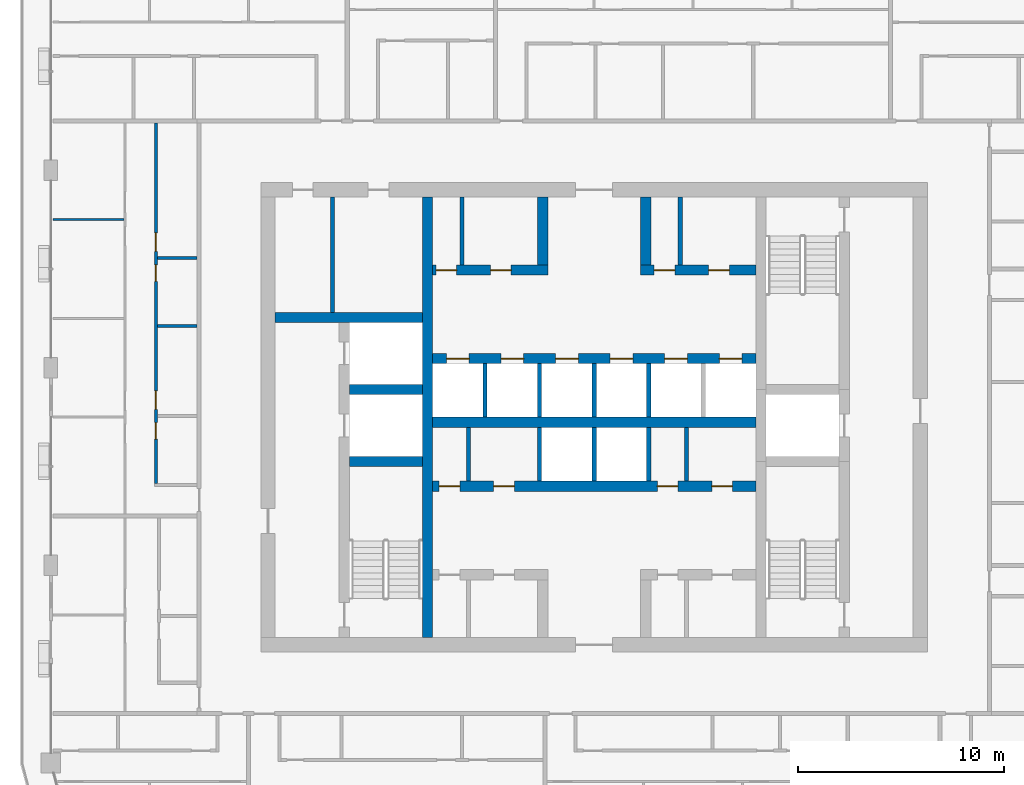
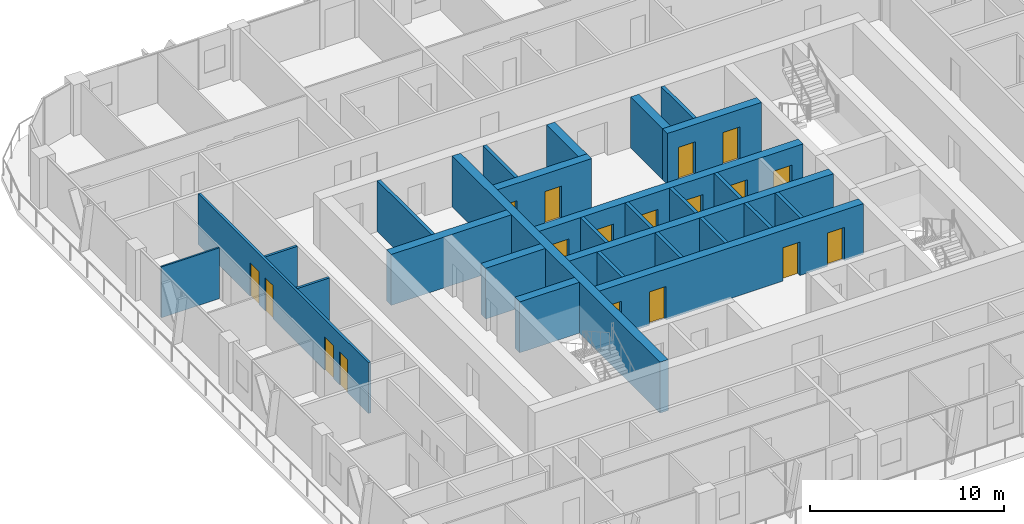
# One storey, part 11 of 23: 27 walls, 18 doors, 18 openings.
"""IFC4 building model written with IfcOpenShell, lengths in metres."""

from ifc_helpers import new_model, si_unit, direction, frame, frame_2d, origin, place, context, subcontext, project, spatial, rectangle, extrude, material, layer, layer_set, type_object, element, fill, save


model = new_model("IFC4")

# Units and contexts
model_context = context("Model", 3, precision=1e-05, world=origin(), true_north=direction((0.0, 1.0)))
body_context = subcontext(model_context, "Body", "Model", "MODEL_VIEW")
ifc_project = project(units=[si_unit("LENGTHUNIT", "METRE"), si_unit("AREAUNIT", "SQUARE_METRE"), si_unit("VOLUMEUNIT", "CUBIC_METRE"), si_unit("PLANEANGLEUNIT", "RADIAN"), si_unit("MASSUNIT", "GRAM", prefix="KILO")], contexts=[model_context])

# Site, building, storey
site_placement = place(None, origin())
site = spatial("IfcSite", under=ifc_project, at=site_placement, CompositionType="ELEMENT")
building_placement = place(site_placement, origin())
building = spatial("IfcBuilding", under=site, at=building_placement, Name="Madar Terraces", CompositionType="ELEMENT")
storey_placement = place(building_placement, frame((0.0, 0.0, 222.800048828125)))
storey = spatial("IfcBuildingStorey", under=building, at=storey_placement, Name="L58", CompositionType="ELEMENT", Elevation=222.800048828125)

# Walls
ifc_material_1 = material(Name="Concrete C60/75", Category="concrete")
ifc_layer_1 = layer(ifc_material_1, 0.5)
ifc_layer_set_1 = layer_set([ifc_layer_1], Name="Concrete C60/75 (CIW4 RC wall 500)")
wall_type_1 = type_object("IfcWallType", Name="CIW4 RC wall 500", PredefinedType="SHEAR", material=ifc_layer_set_1)
wall_1_placement = place(storey_placement, frame((23.10009765625, 15.699951171875, 0.0), z_axis=(0.0, 0.0, 1.0), x_axis=(0.0, 1.0, 0.0)))
element("IfcWall", 1, at=wall_1_placement, inside=storey, type_object=wall_type_1, Name="CORE SHAFT WALL", PredefinedType="SHEAR", context=body_context, shape_type="SweptSolid", body=[
    extrude(rectangle(XDim=21.400146484375, YDim=0.5, at=frame_2d((10.7001953125, 0.0))), origin(), (0.0, 0.0, 1.0), 3.199951171875),
])
for number, where, z_axis, x_axis, name in (
    (2, (19.300048828125, 24.25, 0.0), (0.0, 0.0, 1.0), (1.0, 0.0, 0.0), "CORE SHAFT WALL"),
    (3, (19.300048828125, 27.75, 0.0), (0.0, 0.0, 1.0), (1.0, 0.0, 0.0), "CORE SHAFT WALL"),
):
    element("IfcWall", number, at=place(storey_placement, frame(where, z_axis=z_axis, x_axis=x_axis)), inside=storey, type_object=wall_type_1, Name=name, PredefinedType="SHEAR", context=body_context, shape_type="SweptSolid", body=[
        extrude(rectangle(XDim=3.550048828125, YDim=0.5, at=frame_2d((1.77490234375, 0.0))), origin(), (0.0, 0.0, 1.0), 3.199951171875),
    ])
wall_2_placement = place(storey_placement, frame((15.699951171875, 31.25, 0.0), z_axis=(0.0, 0.0, 1.0), x_axis=(1.0, 0.0, 0.0)))
element("IfcWall", 4, at=wall_2_placement, inside=storey, type_object=wall_type_1, Name="CORE SHAFT WALL", PredefinedType="SHEAR", context=body_context, shape_type="SweptSolid", body=[
    extrude(rectangle(XDim=7.150146484375, YDim=0.5, at=frame_2d((3.5751953125, 0.0))), origin(), (0.0, 0.0, 1.0), 3.199951171875),
])

# Wall, openings, doors
wall_3_placement = place(storey_placement, frame((23.35009765625, 23.050048828125, 0.0), z_axis=(0.0, 0.0, 1.0), x_axis=(1.0, 0.0, 0.0)))
wall_3 = element("IfcWall", 5, at=wall_3_placement, inside=storey, type_object=wall_type_1, Name="CORE SHAFT WALL", PredefinedType="SHEAR", context=body_context, shape_type="SweptSolid", body=[
    extrude(rectangle(XDim=15.699951171875, YDim=0.5, at=frame_2d((7.85009765625, 0.0))), origin(), (0.0, 0.0, 1.0), 3.199951171875),
])
opening_1_placement = place(wall_3_placement, frame((0.31689453125, 0.0, 0.0)))
opening_1 = element("IfcOpeningElement", 6, at=opening_1_placement, cuts=wall_3, Name="Opening KD2", PredefinedType="OPENING", context=body_context, shape_type="SweptSolid", body=[
    extrude(rectangle(XDim=1.0, YDim=2.10009765625, at=frame_2d((0.5, 1.050048828125))), frame((0.0, 0.260009765625, 0.0), z_axis=(0.0, -1.0, 0.0), x_axis=(1.0, 0.0, 0.0)), (0.0, 0.0, 1.0), 0.52001953125),
])
opening_2_placement = place(wall_3_placement, frame((2.967041015625, 0.0, 0.0)))
opening_2 = element("IfcOpeningElement", 7, at=opening_2_placement, cuts=wall_3, Name="Opening KD2", PredefinedType="OPENING", context=body_context, shape_type="SweptSolid", body=[
    extrude(rectangle(XDim=1.0, YDim=2.10009765625, at=frame_2d((0.5, 1.050048828125))), frame((0.0, 0.260009765625, 0.0), z_axis=(0.0, -1.0, 0.0), x_axis=(1.0, 0.0, 0.0)), (0.0, 0.0, 1.0), 0.52001953125),
])
opening_3_placement = place(wall_3_placement, frame((10.9169921875, 0.0, 0.0)))
opening_3 = element("IfcOpeningElement", 8, at=opening_3_placement, cuts=wall_3, Name="Opening KD2", PredefinedType="OPENING", context=body_context, shape_type="SweptSolid", body=[
    extrude(rectangle(XDim=1.0, YDim=2.10009765625, at=frame_2d((0.5, 1.050048828125))), frame((0.0, 0.260009765625, 0.0), z_axis=(0.0, -1.0, 0.0), x_axis=(1.0, 0.0, 0.0)), (0.0, 0.0, 1.0), 0.52001953125),
])
opening_4_placement = place(wall_3_placement, frame((13.56689453125, 0.0, 0.0)))
opening_4 = element("IfcOpeningElement", 9, at=opening_4_placement, cuts=wall_3, Name="Opening KD2", PredefinedType="OPENING", context=body_context, shape_type="SweptSolid", body=[
    extrude(rectangle(XDim=1.0, YDim=2.10009765625, at=frame_2d((0.5, 1.050048828125))), frame((0.0, 0.260009765625, 0.0), z_axis=(0.0, -1.0, 0.0), x_axis=(1.0, 0.0, 0.0)), (0.0, 0.0, 1.0), 0.52001953125),
])
ifc_material_2 = material(Name="Steel door leaf", Category="steel")
door_type_1 = type_object("IfcDoorType", Name="Service room door 1000 x 2100", OperationType="NOTDEFINED", PredefinedType="DOOR", material=ifc_material_2)
door_1_placement = place(opening_1_placement, frame((1.0, 0.0, 0.0), z_axis=(0.0, 0.0, 1.0), x_axis=(-1.0, 0.0, 0.0)))
door_1 = element("IfcDoor", 10, at=door_1_placement, inside=storey, type_object=door_type_1, Name="SERVICE ROOM DOOR", OperationType="SINGLE_SWING_LEFT", OverallHeight=2.10009765625, OverallWidth=1.0, PredefinedType="DOOR", context=body_context, shape_type="SweptSolid", body=[
    extrude(rectangle(XDim=1.0, YDim=2.10009765625, at=frame_2d((0.5, 1.050048828125))), frame((0.0, 0.02490234375, 0.0), z_axis=(0.0, -1.0, 0.0), x_axis=(1.0, 0.0, 0.0)), (0.0, 0.0, 1.0), 0.050048828125),
])
fill(opening_1, door_1)
door_2_placement = place(opening_2_placement, frame((1.0, 0.0, 0.0), z_axis=(0.0, 0.0, 1.0), x_axis=(-1.0, 0.0, 0.0)))
door_2 = element("IfcDoor", 11, at=door_2_placement, inside=storey, type_object=door_type_1, Name="SERVICE ROOM DOOR", OperationType="SINGLE_SWING_RIGHT", OverallHeight=2.10009765625, OverallWidth=1.0, PredefinedType="DOOR", context=body_context, shape_type="SweptSolid", body=[
    extrude(rectangle(XDim=1.0, YDim=2.10009765625, at=frame_2d((0.5, 1.050048828125))), frame((0.0, 0.02490234375, 0.0), z_axis=(0.0, -1.0, 0.0), x_axis=(1.0, 0.0, 0.0)), (0.0, 0.0, 1.0), 0.050048828125),
])
fill(opening_2, door_2)
door_3_placement = place(opening_3_placement, frame((1.0, 0.0, 0.0), z_axis=(0.0, 0.0, 1.0), x_axis=(-1.0, 0.0, 0.0)))
door_3 = element("IfcDoor", 12, at=door_3_placement, inside=storey, type_object=door_type_1, Name="SERVICE ROOM DOOR", OperationType="SINGLE_SWING_LEFT", OverallHeight=2.10009765625, OverallWidth=1.0, PredefinedType="DOOR", context=body_context, shape_type="SweptSolid", body=[
    extrude(rectangle(XDim=1.0, YDim=2.10009765625, at=frame_2d((0.5, 1.050048828125))), frame((0.0, 0.02490234375, 0.0), z_axis=(0.0, -1.0, 0.0), x_axis=(1.0, 0.0, 0.0)), (0.0, 0.0, 1.0), 0.050048828125),
])
fill(opening_3, door_3)
door_4_placement = place(opening_4_placement, frame((1.0, 0.0, 0.0), z_axis=(0.0, 0.0, 1.0), x_axis=(-1.0, 0.0, 0.0)))
door_4 = element("IfcDoor", 13, at=door_4_placement, inside=storey, type_object=door_type_1, Name="SERVICE ROOM DOOR", OperationType="SINGLE_SWING_RIGHT", OverallHeight=2.10009765625, OverallWidth=1.0, PredefinedType="DOOR", context=body_context, shape_type="SweptSolid", body=[
    extrude(rectangle(XDim=1.0, YDim=2.10009765625, at=frame_2d((0.5, 1.050048828125))), frame((0.0, 0.02490234375, 0.0), z_axis=(0.0, -1.0, 0.0), x_axis=(1.0, 0.0, 0.0)), (0.0, 0.0, 1.0), 0.050048828125),
])
fill(opening_4, door_4)

# Wall
wall_4_placement = place(storey_placement, frame((23.35009765625, 26.14990234375, 0.0), z_axis=(0.0, 0.0, 1.0), x_axis=(1.0, 0.0, 0.0)))
element("IfcWall", 14, at=wall_4_placement, inside=storey, type_object=wall_type_1, Name="CORE SHAFT WALL", PredefinedType="SHEAR", context=body_context, shape_type="SweptSolid", body=[
    extrude(rectangle(XDim=15.699951171875, YDim=0.5, at=frame_2d((7.85009765625, 0.0))), origin(), (0.0, 0.0, 1.0), 3.199951171875),
])

# Wall, openings, doors
wall_5_placement = place(storey_placement, frame((23.35009765625, 29.25, 0.0), z_axis=(0.0, 0.0, 1.0), x_axis=(1.0, 0.0, 0.0)))
wall_5 = element("IfcWall", 15, at=wall_5_placement, inside=storey, type_object=wall_type_1, Name="CORE SHAFT WALL", PredefinedType="SHEAR", context=body_context, shape_type="SweptSolid", body=[
    extrude(rectangle(XDim=15.699951171875, YDim=0.5, at=frame_2d((7.85009765625, 0.0))), origin(), (0.0, 0.0, 1.0), 3.199951171875),
])
opening_5_placement = place(wall_5_placement, frame((0.675048828125, 0.0, 0.0)))
opening_5 = element("IfcOpeningElement", 16, at=opening_5_placement, cuts=wall_5, Name="Opening LD", PredefinedType="OPENING", context=body_context, shape_type="SweptSolid", body=[
    extrude(rectangle(XDim=1.10009765625, YDim=2.10009765625, at=frame_2d((0.550048828125, 1.050048828125))), frame((0.0, 0.260009765625, 0.0), z_axis=(0.0, -1.0, 0.0), x_axis=(1.0, 0.0, 0.0)), (0.0, 0.0, 1.0), 0.52001953125),
])
opening_6_placement = place(wall_5_placement, frame((3.324951171875, 0.0, 0.0)))
opening_6 = element("IfcOpeningElement", 17, at=opening_6_placement, cuts=wall_5, Name="Opening LD", PredefinedType="OPENING", context=body_context, shape_type="SweptSolid", body=[
    extrude(rectangle(XDim=1.10009765625, YDim=2.10009765625, at=frame_2d((0.550048828125, 1.050048828125))), frame((0.0, 0.260009765625, 0.0), z_axis=(0.0, -1.0, 0.0), x_axis=(1.0, 0.0, 0.0)), (0.0, 0.0, 1.0), 0.52001953125),
])
opening_7_placement = place(wall_5_placement, frame((5.97509765625, 0.0, 0.0)))
opening_7 = element("IfcOpeningElement", 18, at=opening_7_placement, cuts=wall_5, Name="Opening LD", PredefinedType="OPENING", context=body_context, shape_type="SweptSolid", body=[
    extrude(rectangle(XDim=1.10009765625, YDim=2.10009765625, at=frame_2d((0.550048828125, 1.050048828125))), frame((0.0, 0.260009765625, 0.0), z_axis=(0.0, -1.0, 0.0), x_axis=(1.0, 0.0, 0.0)), (0.0, 0.0, 1.0), 0.52001953125),
])
opening_8_placement = place(wall_5_placement, frame((8.625, 0.0, 0.0)))
opening_8 = element("IfcOpeningElement", 19, at=opening_8_placement, cuts=wall_5, Name="Opening LD", PredefinedType="OPENING", context=body_context, shape_type="SweptSolid", body=[
    extrude(rectangle(XDim=1.10009765625, YDim=2.10009765625, at=frame_2d((0.550048828125, 1.050048828125))), frame((0.0, 0.260009765625, 0.0), z_axis=(0.0, -1.0, 0.0), x_axis=(1.0, 0.0, 0.0)), (0.0, 0.0, 1.0), 0.52001953125),
])
opening_9_placement = place(wall_5_placement, frame((11.27490234375, 0.0, 0.0)))
opening_9 = element("IfcOpeningElement", 20, at=opening_9_placement, cuts=wall_5, Name="Opening LD", PredefinedType="OPENING", context=body_context, shape_type="SweptSolid", body=[
    extrude(rectangle(XDim=1.10009765625, YDim=2.10009765625, at=frame_2d((0.550048828125, 1.050048828125))), frame((0.0, 0.260009765625, 0.0), z_axis=(0.0, -1.0, 0.0), x_axis=(1.0, 0.0, 0.0)), (0.0, 0.0, 1.0), 0.52001953125),
])
opening_10_placement = place(wall_5_placement, frame((13.925048828125, 0.0, 0.0)))
opening_10 = element("IfcOpeningElement", 21, at=opening_10_placement, cuts=wall_5, Name="Opening LD", PredefinedType="OPENING", context=body_context, shape_type="SweptSolid", body=[
    extrude(rectangle(XDim=1.10009765625, YDim=2.10009765625, at=frame_2d((0.550048828125, 1.050048828125))), frame((0.0, 0.260009765625, 0.0), z_axis=(0.0, -1.0, 0.0), x_axis=(1.0, 0.0, 0.0)), (0.0, 0.0, 1.0), 0.52001953125),
])
ifc_material_3 = material(Name="Stainless steel panel", Category="steel")
door_type_2 = type_object("IfcDoorType", Name="Lift landing door 1100 x 2100", OperationType="DOUBLE_DOOR_SLIDING", PredefinedType="DOOR", material=ifc_material_3)
door_5_placement = place(opening_5_placement, origin())
door_5 = element("IfcDoor", 22, at=door_5_placement, inside=storey, type_object=door_type_2, Name="LIFT LANDING DOOR", OperationType="DOUBLE_DOOR_SLIDING", OverallHeight=2.10009765625, OverallWidth=1.10009765625, PredefinedType="DOOR", context=body_context, shape_type="SweptSolid", body=[
    extrude(rectangle(XDim=1.10009765625, YDim=2.10009765625, at=frame_2d((0.550048828125, 1.050048828125))), frame((0.0, 0.02490234375, 0.0), z_axis=(0.0, -1.0, 0.0), x_axis=(1.0, 0.0, 0.0)), (0.0, 0.0, 1.0), 0.050048828125),
])
fill(opening_5, door_5)
door_6_placement = place(opening_6_placement, origin())
door_6 = element("IfcDoor", 23, at=door_6_placement, inside=storey, type_object=door_type_2, Name="LIFT LANDING DOOR", OperationType="DOUBLE_DOOR_SLIDING", OverallHeight=2.10009765625, OverallWidth=1.10009765625, PredefinedType="DOOR", context=body_context, shape_type="SweptSolid", body=[
    extrude(rectangle(XDim=1.10009765625, YDim=2.10009765625, at=frame_2d((0.550048828125, 1.050048828125))), frame((0.0, 0.02490234375, 0.0), z_axis=(0.0, -1.0, 0.0), x_axis=(1.0, 0.0, 0.0)), (0.0, 0.0, 1.0), 0.050048828125),
])
fill(opening_6, door_6)
door_7_placement = place(opening_7_placement, origin())
door_7 = element("IfcDoor", 24, at=door_7_placement, inside=storey, type_object=door_type_2, Name="LIFT LANDING DOOR", OperationType="DOUBLE_DOOR_SLIDING", OverallHeight=2.10009765625, OverallWidth=1.10009765625, PredefinedType="DOOR", context=body_context, shape_type="SweptSolid", body=[
    extrude(rectangle(XDim=1.10009765625, YDim=2.10009765625, at=frame_2d((0.550048828125, 1.050048828125))), frame((0.0, 0.02490234375, 0.0), z_axis=(0.0, -1.0, 0.0), x_axis=(1.0, 0.0, 0.0)), (0.0, 0.0, 1.0), 0.050048828125),
])
fill(opening_7, door_7)
door_8_placement = place(opening_8_placement, origin())
door_8 = element("IfcDoor", 25, at=door_8_placement, inside=storey, type_object=door_type_2, Name="LIFT LANDING DOOR", OperationType="DOUBLE_DOOR_SLIDING", OverallHeight=2.10009765625, OverallWidth=1.10009765625, PredefinedType="DOOR", context=body_context, shape_type="SweptSolid", body=[
    extrude(rectangle(XDim=1.10009765625, YDim=2.10009765625, at=frame_2d((0.550048828125, 1.050048828125))), frame((0.0, 0.02490234375, 0.0), z_axis=(0.0, -1.0, 0.0), x_axis=(1.0, 0.0, 0.0)), (0.0, 0.0, 1.0), 0.050048828125),
])
fill(opening_8, door_8)
door_9_placement = place(opening_9_placement, origin())
door_9 = element("IfcDoor", 26, at=door_9_placement, inside=storey, type_object=door_type_2, Name="LIFT LANDING DOOR", OperationType="DOUBLE_DOOR_SLIDING", OverallHeight=2.10009765625, OverallWidth=1.10009765625, PredefinedType="DOOR", context=body_context, shape_type="SweptSolid", body=[
    extrude(rectangle(XDim=1.10009765625, YDim=2.10009765625, at=frame_2d((0.550048828125, 1.050048828125))), frame((0.0, 0.02490234375, 0.0), z_axis=(0.0, -1.0, 0.0), x_axis=(1.0, 0.0, 0.0)), (0.0, 0.0, 1.0), 0.050048828125),
])
fill(opening_9, door_9)
door_10_placement = place(opening_10_placement, origin())
door_10 = element("IfcDoor", 27, at=door_10_placement, inside=storey, type_object=door_type_2, Name="LIFT LANDING DOOR", OperationType="DOUBLE_DOOR_SLIDING", OverallHeight=2.10009765625, OverallWidth=1.10009765625, PredefinedType="DOOR", context=body_context, shape_type="SweptSolid", body=[
    extrude(rectangle(XDim=1.10009765625, YDim=2.10009765625, at=frame_2d((0.550048828125, 1.050048828125))), frame((0.0, 0.02490234375, 0.0), z_axis=(0.0, -1.0, 0.0), x_axis=(1.0, 0.0, 0.0)), (0.0, 0.0, 1.0), 0.050048828125),
])
fill(opening_10, door_10)

wall_6_placement = place(storey_placement, frame((23.35009765625, 33.550048828125, 0.0), z_axis=(0.0, 0.0, 1.0), x_axis=(1.0, 0.0, 0.0)))
wall_6 = element("IfcWall", 28, at=wall_6_placement, inside=storey, type_object=wall_type_1, Name="CORE SHAFT WALL", PredefinedType="SHEAR", context=body_context, shape_type="SweptSolid", body=[
    extrude(rectangle(XDim=5.599853515625, YDim=0.5, at=frame_2d((2.7998046875, 0.0))), origin(), (0.0, 0.0, 1.0), 3.199951171875),
])
opening_11_placement = place(wall_6_placement, frame((0.1640625, 0.0, 0.0)))
opening_11 = element("IfcOpeningElement", 29, at=opening_11_placement, cuts=wall_6, Name="Opening KD2", PredefinedType="OPENING", context=body_context, shape_type="SweptSolid", body=[
    extrude(rectangle(XDim=1.0, YDim=2.10009765625, at=frame_2d((0.5, 1.050048828125))), frame((0.0, 0.260009765625, 0.0), z_axis=(0.0, -1.0, 0.0), x_axis=(1.0, 0.0, 0.0)), (0.0, 0.0, 1.0), 0.52001953125),
])
opening_12_placement = place(wall_6_placement, frame((2.81396484375, 0.0, 0.0)))
opening_12 = element("IfcOpeningElement", 30, at=opening_12_placement, cuts=wall_6, Name="Opening KD2", PredefinedType="OPENING", context=body_context, shape_type="SweptSolid", body=[
    extrude(rectangle(XDim=1.0, YDim=2.10009765625, at=frame_2d((0.5, 1.050048828125))), frame((0.0, 0.260009765625, 0.0), z_axis=(0.0, -1.0, 0.0), x_axis=(1.0, 0.0, 0.0)), (0.0, 0.0, 1.0), 0.52001953125),
])
door_11_placement = place(opening_11_placement, frame((1.0, 0.0, 0.0), z_axis=(0.0, 0.0, 1.0), x_axis=(-1.0, 0.0, 0.0)))
door_11 = element("IfcDoor", 31, at=door_11_placement, inside=storey, type_object=door_type_1, Name="SERVICE ROOM DOOR", OperationType="SINGLE_SWING_LEFT", OverallHeight=2.10009765625, OverallWidth=1.0, PredefinedType="DOOR", context=body_context, shape_type="SweptSolid", body=[
    extrude(rectangle(XDim=1.0, YDim=2.10009765625, at=frame_2d((0.5, 1.050048828125))), frame((0.0, 0.02490234375, 0.0), z_axis=(0.0, -1.0, 0.0), x_axis=(1.0, 0.0, 0.0)), (0.0, 0.0, 1.0), 0.050048828125),
])
fill(opening_11, door_11)
door_12_placement = place(opening_12_placement, frame((1.0, 0.0, 0.0), z_axis=(0.0, 0.0, 1.0), x_axis=(-1.0, 0.0, 0.0)))
door_12 = element("IfcDoor", 32, at=door_12_placement, inside=storey, type_object=door_type_1, Name="SERVICE ROOM DOOR", OperationType="SINGLE_SWING_RIGHT", OverallHeight=2.10009765625, OverallWidth=1.0, PredefinedType="DOOR", context=body_context, shape_type="SweptSolid", body=[
    extrude(rectangle(XDim=1.0, YDim=2.10009765625, at=frame_2d((0.5, 1.050048828125))), frame((0.0, 0.02490234375, 0.0), z_axis=(0.0, -1.0, 0.0), x_axis=(1.0, 0.0, 0.0)), (0.0, 0.0, 1.0), 0.050048828125),
])
fill(opening_12, door_12)

wall_7_placement = place(storey_placement, frame((33.449951171875, 33.550048828125, 0.0), z_axis=(0.0, 0.0, 1.0), x_axis=(1.0, 0.0, 0.0)))
wall_7 = element("IfcWall", 33, at=wall_7_placement, inside=storey, type_object=wall_type_1, Name="CORE SHAFT WALL", PredefinedType="SHEAR", context=body_context, shape_type="SweptSolid", body=[
    extrude(rectangle(XDim=5.60009765625, YDim=0.5, at=frame_2d((2.800048828125, 0.0))), origin(), (0.0, 0.0, 1.0), 3.199951171875),
])
opening_13_placement = place(wall_7_placement, frame((0.6640625, 0.0, 0.0)))
opening_13 = element("IfcOpeningElement", 34, at=opening_13_placement, cuts=wall_7, Name="Opening KD2", PredefinedType="OPENING", context=body_context, shape_type="SweptSolid", body=[
    extrude(rectangle(XDim=1.0, YDim=2.10009765625, at=frame_2d((0.5, 1.050048828125))), frame((0.0, 0.260009765625, 0.0), z_axis=(0.0, -1.0, 0.0), x_axis=(1.0, 0.0, 0.0)), (0.0, 0.0, 1.0), 0.52001953125),
])
opening_14_placement = place(wall_7_placement, frame((3.31396484375, 0.0, 0.0)))
opening_14 = element("IfcOpeningElement", 35, at=opening_14_placement, cuts=wall_7, Name="Opening KD2", PredefinedType="OPENING", context=body_context, shape_type="SweptSolid", body=[
    extrude(rectangle(XDim=1.0, YDim=2.10009765625, at=frame_2d((0.5, 1.050048828125))), frame((0.0, 0.260009765625, 0.0), z_axis=(0.0, -1.0, 0.0), x_axis=(1.0, 0.0, 0.0)), (0.0, 0.0, 1.0), 0.52001953125),
])
door_13_placement = place(opening_13_placement, frame((1.0, 0.0, 0.0), z_axis=(0.0, 0.0, 1.0), x_axis=(-1.0, 0.0, 0.0)))
door_13 = element("IfcDoor", 36, at=door_13_placement, inside=storey, type_object=door_type_1, Name="SERVICE ROOM DOOR", OperationType="SINGLE_SWING_LEFT", OverallHeight=2.10009765625, OverallWidth=1.0, PredefinedType="DOOR", context=body_context, shape_type="SweptSolid", body=[
    extrude(rectangle(XDim=1.0, YDim=2.10009765625, at=frame_2d((0.5, 1.050048828125))), frame((0.0, 0.02490234375, 0.0), z_axis=(0.0, -1.0, 0.0), x_axis=(1.0, 0.0, 0.0)), (0.0, 0.0, 1.0), 0.050048828125),
])
fill(opening_13, door_13)
door_14_placement = place(opening_14_placement, frame((1.0, 0.0, 0.0), z_axis=(0.0, 0.0, 1.0), x_axis=(-1.0, 0.0, 0.0)))
door_14 = element("IfcDoor", 37, at=door_14_placement, inside=storey, type_object=door_type_1, Name="SERVICE ROOM DOOR", OperationType="SINGLE_SWING_RIGHT", OverallHeight=2.10009765625, OverallWidth=1.0, PredefinedType="DOOR", context=body_context, shape_type="SweptSolid", body=[
    extrude(rectangle(XDim=1.0, YDim=2.10009765625, at=frame_2d((0.5, 1.050048828125))), frame((0.0, 0.02490234375, 0.0), z_axis=(0.0, -1.0, 0.0), x_axis=(1.0, 0.0, 0.0)), (0.0, 0.0, 1.0), 0.050048828125),
])
fill(opening_14, door_14)

# Walls
for number, where, z_axis, x_axis, name in (
    (38, (28.699951171875, 33.800048828125, 0.0), (0.0, 0.0, 1.0), (0.0, 1.0, 0.0), "CORE SHAFT WALL"),
    (39, (33.699951171875, 33.800048828125, 0.0), (0.0, 0.0, 1.0), (0.0, 1.0, 0.0), "CORE SHAFT WALL"),
):
    element("IfcWall", number, at=place(storey_placement, frame(where, z_axis=z_axis, x_axis=x_axis)), inside=storey, type_object=wall_type_1, Name=name, PredefinedType="SHEAR", context=body_context, shape_type="SweptSolid", body=[
        extrude(rectangle(XDim=3.300048828125, YDim=0.5, at=frame_2d((1.64990234375, 0.0))), origin(), (0.0, 0.0, 1.0), 3.199951171875),
    ])
ifc_material_4 = material(Name="Masonry blockwork", Category="masonry")
ifc_layer_2 = layer(ifc_material_4, 0.199951171875)
ifc_layer_set_2 = layer_set([ifc_layer_2], Name="Core partition 200 blockwork")
wall_type_2 = type_object("IfcWallType", Name="Core partition 200 blockwork", PredefinedType="PARTITIONING", material=ifc_layer_set_2)
wall_8_placement = place(storey_placement, frame((18.488525390625, 31.5, 0.0), z_axis=(0.0, 0.0, 1.0), x_axis=(0.0, 1.0, 0.0)))
element("IfcWall", 40, at=wall_8_placement, inside=storey, type_object=wall_type_2, Name="SERVICE ROOM PARTITION", PredefinedType="PARTITIONING", context=body_context, shape_type="SweptSolid", body=[
    extrude(rectangle(XDim=5.60009765625, YDim=0.199951171875, at=frame_2d((2.800048828125, 0.0))), origin(), (0.0, 0.0, 1.0), 3.199951171875),
])
for number, where, z_axis, x_axis, name in (
    (41, (25.083984375, 23.300048828125, 0.0), (0.0, 0.0, 1.0), (0.0, 1.0, 0.0), "SERVICE ROOM PARTITION"),
    (42, (35.68408203125, 23.300048828125, 0.0), (0.0, 0.0, 1.0), (0.0, 1.0, 0.0), "SERVICE ROOM PARTITION"),
):
    element("IfcWall", number, at=place(storey_placement, frame(where, z_axis=z_axis, x_axis=x_axis)), inside=storey, type_object=wall_type_2, Name=name, PredefinedType="PARTITIONING", context=body_context, shape_type="SweptSolid", body=[
        extrude(rectangle(XDim=2.599853515625, YDim=0.199951171875, at=frame_2d((1.2998046875, 0.0))), origin(), (0.0, 0.0, 1.0), 3.199951171875),
    ])
for number, where, z_axis, x_axis, name in (
    (43, (24.778076171875, 33.800048828125, 0.0), (0.0, 0.0, 1.0), (0.0, 1.0, 0.0), "SERVICE ROOM PARTITION"),
    (44, (35.3779296875, 33.800048828125, 0.0), (0.0, 0.0, 1.0), (0.0, 1.0, 0.0), "SERVICE ROOM PARTITION"),
):
    element("IfcWall", number, at=place(storey_placement, frame(where, z_axis=z_axis, x_axis=x_axis)), inside=storey, type_object=wall_type_2, Name=name, PredefinedType="PARTITIONING", context=body_context, shape_type="SweptSolid", body=[
        extrude(rectangle(XDim=3.300048828125, YDim=0.199951171875, at=frame_2d((1.64990234375, 0.0))), origin(), (0.0, 0.0, 1.0), 3.199951171875),
    ])
ifc_material_5 = material(Name="Concrete C40/50", Category="concrete")
ifc_layer_3 = layer(ifc_material_5, 0.199951171875)
ifc_layer_set_3 = layer_set([ifc_layer_3], Name="Core shaft dividing wall 200 C40/50")
wall_type_3 = type_object("IfcWallType", Name="Core shaft dividing wall 200 C40/50", PredefinedType="SOLIDWALL", material=ifc_layer_set_3)
wall_9_placement = place(storey_placement, frame((25.89990234375, 26.39990234375, 0.0), z_axis=(0.0, 0.0, 1.0), x_axis=(0.0, 1.0, 0.0)))
element("IfcWall", 45, at=wall_9_placement, inside=storey, type_object=wall_type_3, Name="SHAFT DIVIDING WALL", PredefinedType="SOLIDWALL", context=body_context, shape_type="SweptSolid", body=[
    extrude(rectangle(XDim=2.60009765625, YDim=0.199951171875, at=frame_2d((1.300048828125, 0.0))), origin(), (0.0, 0.0, 1.0), 3.199951171875),
])
wall_10_placement = place(storey_placement, frame((28.550048828125, 23.300048828125, 0.0), z_axis=(0.0, 0.0, 1.0), x_axis=(0.0, 1.0, 0.0)))
element("IfcWall", 46, at=wall_10_placement, inside=storey, type_object=wall_type_3, Name="SHAFT DIVIDING WALL", PredefinedType="SOLIDWALL", context=body_context, shape_type="SweptSolid", body=[
    extrude(rectangle(XDim=2.599853515625, YDim=0.199951171875, at=frame_2d((1.2998046875, 0.0))), origin(), (0.0, 0.0, 1.0), 3.199951171875),
])
wall_11_placement = place(storey_placement, frame((28.550048828125, 26.39990234375, 0.0), z_axis=(0.0, 0.0, 1.0), x_axis=(0.0, 1.0, 0.0)))
element("IfcWall", 47, at=wall_11_placement, inside=storey, type_object=wall_type_3, Name="SHAFT DIVIDING WALL", PredefinedType="SOLIDWALL", context=body_context, shape_type="SweptSolid", body=[
    extrude(rectangle(XDim=2.60009765625, YDim=0.199951171875, at=frame_2d((1.300048828125, 0.0))), origin(), (0.0, 0.0, 1.0), 3.199951171875),
])
wall_12_placement = place(storey_placement, frame((31.199951171875, 23.300048828125, 0.0), z_axis=(0.0, 0.0, 1.0), x_axis=(0.0, 1.0, 0.0)))
element("IfcWall", 48, at=wall_12_placement, inside=storey, type_object=wall_type_3, Name="SHAFT DIVIDING WALL", PredefinedType="SOLIDWALL", context=body_context, shape_type="SweptSolid", body=[
    extrude(rectangle(XDim=2.599853515625, YDim=0.199951171875, at=frame_2d((1.2998046875, 0.0))), origin(), (0.0, 0.0, 1.0), 3.199951171875),
])
wall_13_placement = place(storey_placement, frame((31.199951171875, 26.39990234375, 0.0), z_axis=(0.0, 0.0, 1.0), x_axis=(0.0, 1.0, 0.0)))
element("IfcWall", 49, at=wall_13_placement, inside=storey, type_object=wall_type_3, Name="SHAFT DIVIDING WALL", PredefinedType="SOLIDWALL", context=body_context, shape_type="SweptSolid", body=[
    extrude(rectangle(XDim=2.60009765625, YDim=0.199951171875, at=frame_2d((1.300048828125, 0.0))), origin(), (0.0, 0.0, 1.0), 3.199951171875),
])
wall_14_placement = place(storey_placement, frame((33.85009765625, 23.300048828125, 0.0), z_axis=(0.0, 0.0, 1.0), x_axis=(0.0, 1.0, 0.0)))
element("IfcWall", 50, at=wall_14_placement, inside=storey, type_object=wall_type_3, Name="SHAFT DIVIDING WALL", PredefinedType="SOLIDWALL", context=body_context, shape_type="SweptSolid", body=[
    extrude(rectangle(XDim=2.599853515625, YDim=0.199951171875, at=frame_2d((1.2998046875, 0.0))), origin(), (0.0, 0.0, 1.0), 3.199951171875),
])
wall_15_placement = place(storey_placement, frame((33.85009765625, 26.39990234375, 0.0), z_axis=(0.0, 0.0, 1.0), x_axis=(0.0, 1.0, 0.0)))
element("IfcWall", 51, at=wall_15_placement, inside=storey, type_object=wall_type_3, Name="SHAFT DIVIDING WALL", PredefinedType="SOLIDWALL", context=body_context, shape_type="SweptSolid", body=[
    extrude(rectangle(XDim=2.60009765625, YDim=0.199951171875, at=frame_2d((1.300048828125, 0.0))), origin(), (0.0, 0.0, 1.0), 3.199951171875),
])
ifc_material_6 = material(Name="Gypsum board on steel studs", Category="steel")
ifc_layer_4 = layer(ifc_material_6, 0.10009765625)
ifc_layer_set_4 = layer_set([ifc_layer_4], Name="Flat partition 100")
wall_type_4 = type_object("IfcWallType", Name="Flat partition 100", PredefinedType="PARTITIONING", material=ifc_layer_set_4)
wall_16_placement = place(storey_placement, frame((8.35009765625, 36.0, 0.0), z_axis=(0.0, 0.0, 1.0), x_axis=(-1.0, 0.0, 0.0)))
element("IfcWall", 52, at=wall_16_placement, inside=storey, type_object=wall_type_4, Name="Flat partition 100", PredefinedType="PARTITIONING", context=body_context, shape_type="SweptSolid", body=[
    extrude(rectangle(XDim=3.4501953125, YDim=0.10009765625, at=frame_2d((1.72509765625, 0.0))), origin(), (0.0, 0.0, 1.0), 3.199951171875),
])
ifc_material_7 = material(Name="Lightweight blockwork", Category="masonry")
ifc_layer_5 = layer(ifc_material_7, 0.14990234375)
ifc_layer_set_5 = layer_set([ifc_layer_5], Name="Flat wet-room partition 150")
wall_type_5 = type_object("IfcWallType", Name="Flat wet-room partition 150", PredefinedType="PARTITIONING", material=ifc_layer_set_5)
for number, where, z_axis, x_axis, name in (
    (53, (11.89990234375, 30.842041015625, 0.0), (0.0, 0.0, 1.0), (-1.0, 0.0, 0.0), "Flat wet-room partition 150"),
    (54, (11.89990234375, 34.1279296875, 0.0), (0.0, 0.0, 1.0), (-1.0, 0.0, 0.0), "Flat wet-room partition 150"),
):
    element("IfcWall", number, at=place(storey_placement, frame(where, z_axis=z_axis, x_axis=x_axis)), inside=storey, type_object=wall_type_5, Name=name, PredefinedType="PARTITIONING", context=body_context, shape_type="SweptSolid", body=[
        extrude(rectangle(XDim=1.9248046875, YDim=0.14990234375, at=frame_2d((0.96240234375, 0.0))), origin(), (0.0, 0.0, 1.0), 3.199951171875),
    ])

# Wall, openings, doors
wall_17_placement = place(storey_placement, frame((9.89990234375, 40.699951171875, 0.0), z_axis=(0.0, 0.0, 1.0), x_axis=(0.0, -1.0, 0.0)))
wall_17 = element("IfcWall", 55, at=wall_17_placement, inside=storey, type_object=wall_type_5, Name="Flat wet-room partition 150", PredefinedType="PARTITIONING", context=body_context, shape_type="SweptSolid", body=[
    extrude(rectangle(XDim=17.52490234375, YDim=0.14990234375, at=frame_2d((8.762451171875, 0.0))), origin(), (0.0, 0.0, 1.0), 3.199951171875),
])
opening_15_placement = place(wall_17_placement, frame((14.564208984375, 0.0, 0.0)))
opening_15 = element("IfcOpeningElement", 56, at=opening_15_placement, cuts=wall_17, Name="Opening D7", PredefinedType="OPENING", context=body_context, shape_type="SweptSolid", body=[
    extrude(rectangle(XDim=0.800048828125, YDim=2.10009765625, at=frame_2d((0.39990234375, 1.050048828125))), frame((0.0, 0.0849609375, 0.0), z_axis=(0.0, -1.0, 0.0), x_axis=(1.0, 0.0, 0.0)), (0.0, 0.0, 1.0), 0.169921875),
])
opening_16_placement = place(wall_17_placement, frame((13.01416015625, 0.0, 0.0)))
opening_16 = element("IfcOpeningElement", 57, at=opening_16_placement, cuts=wall_17, Name="Opening D5", PredefinedType="OPENING", context=body_context, shape_type="SweptSolid", body=[
    extrude(rectangle(XDim=0.89990234375, YDim=2.10009765625, at=frame_2d((0.449951171875, 1.050048828125))), frame((0.0, 0.0849609375, 0.0), z_axis=(0.0, -1.0, 0.0), x_axis=(1.0, 0.0, 0.0)), (0.0, 0.0, 1.0), 0.169921875),
])
opening_17_placement = place(wall_17_placement, frame((6.89697265625, 0.0, 0.0)))
opening_17 = element("IfcOpeningElement", 58, at=opening_17_placement, cuts=wall_17, Name="Opening D4", PredefinedType="OPENING", context=body_context, shape_type="SweptSolid", body=[
    extrude(rectangle(XDim=0.800048828125, YDim=2.10009765625, at=frame_2d((0.39990234375, 1.050048828125))), frame((0.0, 0.0849609375, 0.0), z_axis=(0.0, -1.0, 0.0), x_axis=(1.0, 0.0, 0.0)), (0.0, 0.0, 1.0), 0.169921875),
])
opening_18_placement = place(wall_17_placement, frame((5.346923828125, 0.0, 0.0)))
opening_18 = element("IfcOpeningElement", 59, at=opening_18_placement, cuts=wall_17, Name="Opening D2", PredefinedType="OPENING", context=body_context, shape_type="SweptSolid", body=[
    extrude(rectangle(XDim=0.89990234375, YDim=2.10009765625, at=frame_2d((0.449951171875, 1.050048828125))), frame((0.0, 0.0849609375, 0.0), z_axis=(0.0, -1.0, 0.0), x_axis=(1.0, 0.0, 0.0)), (0.0, 0.0, 1.0), 0.169921875),
])
ifc_material_8 = material(Name="Timber door leaf", Category="wood")
door_type_3 = type_object("IfcDoorType", Name="Flat accessible bathroom door 900", OperationType="NOTDEFINED", PredefinedType="DOOR", material=ifc_material_8)
door_15_placement = place(opening_16_placement, origin())
door_15 = element("IfcDoor", 60, at=door_15_placement, inside=storey, type_object=door_type_3, Name="Flat accessible bathroom door 900", OperationType="SINGLE_SWING_RIGHT", OverallHeight=2.10009765625, OverallWidth=0.89990234375, PredefinedType="DOOR", context=body_context, shape_type="SweptSolid", body=[
    extrude(rectangle(XDim=0.89990234375, YDim=2.10009765625, at=frame_2d((0.449951171875, 1.050048828125))), frame((0.0, 0.02490234375, 0.0), z_axis=(0.0, -1.0, 0.0), x_axis=(1.0, 0.0, 0.0)), (0.0, 0.0, 1.0), 0.050048828125),
])
fill(opening_16, door_15)
ifc_material_9 = material(Name="Timber door leaf", Category="wood")
door_type_4 = type_object("IfcDoorType", Name="Flat bathroom door 800", OperationType="NOTDEFINED", PredefinedType="DOOR", material=ifc_material_9)
door_16_placement = place(opening_17_placement, origin())
door_16 = element("IfcDoor", 61, at=door_16_placement, inside=storey, type_object=door_type_4, Name="Flat bathroom door 800", OperationType="SINGLE_SWING_LEFT", OverallHeight=2.10009765625, OverallWidth=0.800048828125, PredefinedType="DOOR", context=body_context, shape_type="SweptSolid", body=[
    extrude(rectangle(XDim=0.800048828125, YDim=2.10009765625, at=frame_2d((0.39990234375, 1.050048828125))), frame((0.0, 0.02490234375, 0.0), z_axis=(0.0, -1.0, 0.0), x_axis=(1.0, 0.0, 0.0)), (0.0, 0.0, 1.0), 0.050048828125),
])
fill(opening_17, door_16)
ifc_material_10 = material(Name="Timber door leaf", Category="wood")
door_type_5 = type_object("IfcDoorType", Name="Flat room door 900", OperationType="NOTDEFINED", PredefinedType="DOOR", material=ifc_material_10)
door_17_placement = place(opening_18_placement, origin())
door_17 = element("IfcDoor", 62, at=door_17_placement, inside=storey, type_object=door_type_5, Name="Flat room door 900", OperationType="SINGLE_SWING_RIGHT", OverallHeight=2.10009765625, OverallWidth=0.89990234375, PredefinedType="DOOR", context=body_context, shape_type="SweptSolid", body=[
    extrude(rectangle(XDim=0.89990234375, YDim=2.10009765625, at=frame_2d((0.449951171875, 1.050048828125))), frame((0.0, 0.02490234375, 0.0), z_axis=(0.0, -1.0, 0.0), x_axis=(1.0, 0.0, 0.0)), (0.0, 0.0, 1.0), 0.050048828125),
])
fill(opening_18, door_17)
ifc_material_11 = material(Name="Timber door leaf", Category="wood")
door_type_6 = type_object("IfcDoorType", Name="Flat utility door 800", OperationType="NOTDEFINED", PredefinedType="DOOR", material=ifc_material_11)
door_18_placement = place(opening_15_placement, origin())
door_18 = element("IfcDoor", 63, at=door_18_placement, inside=storey, type_object=door_type_6, Name="Flat utility door 800", OperationType="SINGLE_SWING_LEFT", OverallHeight=2.10009765625, OverallWidth=0.800048828125, PredefinedType="DOOR", context=body_context, shape_type="SweptSolid", body=[
    extrude(rectangle(XDim=0.800048828125, YDim=2.10009765625, at=frame_2d((0.39990234375, 1.050048828125))), frame((0.0, 0.02490234375, 0.0), z_axis=(0.0, -1.0, 0.0), x_axis=(1.0, 0.0, 0.0)), (0.0, 0.0, 1.0), 0.050048828125),
])
fill(opening_15, door_18)

save(model, "model.ifc")
